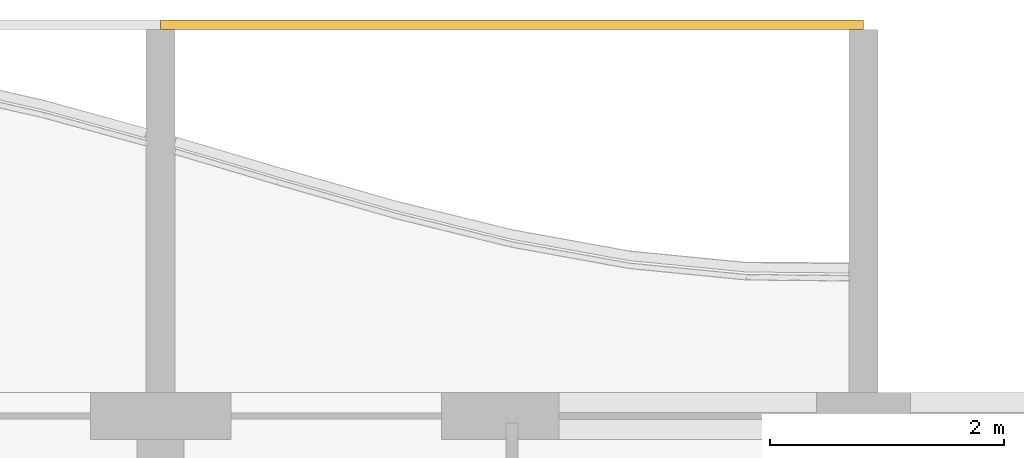
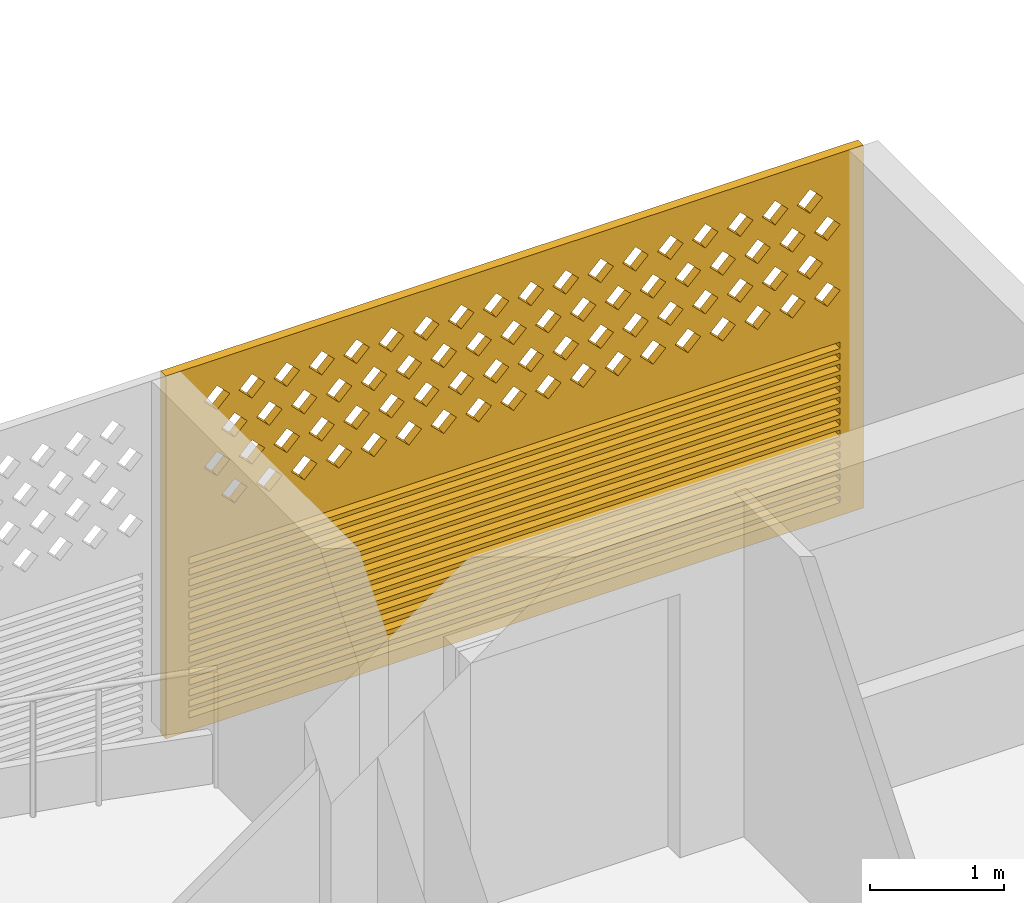
# One storey, part 37 of 44: 1 covering.
"""IFC4 building model written with IfcOpenShell, lengths in metres."""

from ifc_helpers import new_model, si_unit, direction, frame, origin, place, context, subcontext, project, spatial, polyline, outline, extrude, source, transform, mapped, material, material_profile, profile_set, type_object, element, save


model = new_model("IFC4")

# Units and contexts
model_context = context("Model", 3, precision=1e-05, world=origin(), true_north=direction((0.0, 1.0)))
body_context = subcontext(model_context, "Body", "Model", "MODEL_VIEW")
ifc_project = project(units=[si_unit("LENGTHUNIT", "METRE"), si_unit("AREAUNIT", "SQUARE_METRE"), si_unit("VOLUMEUNIT", "CUBIC_METRE"), si_unit("PLANEANGLEUNIT", "RADIAN"), si_unit("MASSUNIT", "GRAM", prefix="KILO")], contexts=[model_context])

# Site, building, storey
site_placement = place(None, origin())
site = spatial("IfcSite", under=ifc_project, at=site_placement, CompositionType="ELEMENT")
building_placement = place(site_placement, origin())
building = spatial("IfcBuilding", under=site, at=building_placement, Name="Poui Terraces", CompositionType="ELEMENT")
storey_placement = place(building_placement, frame((0.0, 0.0, 30.0)))
storey = spatial("IfcBuildingStorey", under=building, at=storey_placement, Name="L07", CompositionType="ELEMENT", Elevation=30.0)

# Covering
ifc_material = material(Name="Terracotta screen", Category="masonry")
ifc_material_profile = material_profile(ifc_material, outline(polyline([(-3.0, -1.64990234375), (3.0, -1.64990234375), (3.0, 1.64990234375), (-3.0, 1.64990234375), (-3.0, -1.64990234375)]), holes=[polyline([(-2.800048828125, 0.39990234375), (-2.68994140625, 0.2900390625), (-2.580078125, 0.39990234375), (-2.68994140625, 0.510009765625), (-2.800048828125, 0.39990234375)]), polyline([(-2.5, 0.39990234375), (-2.389892578125, 0.2900390625), (-2.280029296875, 0.39990234375), (-2.389892578125, 0.510009765625), (-2.5, 0.39990234375)]), polyline([(-2.199951171875, 0.39990234375), (-2.090087890625, 0.2900390625), (-1.97998046875, 0.39990234375), (-2.090087890625, 0.510009765625), (-2.199951171875, 0.39990234375)]), polyline([(-1.89990234375, 0.39990234375), (-1.7900390625, 0.2900390625), (-1.679931640625, 0.39990234375), (-1.7900390625, 0.510009765625), (-1.89990234375, 0.39990234375)]), polyline([(-1.60009765625, 0.39990234375), (-1.489990234375, 0.2900390625), (-1.3798828125, 0.39990234375), (-1.489990234375, 0.510009765625), (-1.60009765625, 0.39990234375)]), polyline([(-1.300048828125, 0.39990234375), (-1.18994140625, 0.2900390625), (-1.080078125, 0.39990234375), (-1.18994140625, 0.510009765625), (-1.300048828125, 0.39990234375)]), polyline([(-1.0, 0.39990234375), (-0.889892578125, 0.2900390625), (-0.780029296875, 0.39990234375), (-0.889892578125, 0.510009765625), (-1.0, 0.39990234375)]), polyline([(-0.699951171875, 0.39990234375), (-0.590087890625, 0.2900390625), (-0.47998046875, 0.39990234375), (-0.590087890625, 0.510009765625), (-0.699951171875, 0.39990234375)]), polyline([(-0.39990234375, 0.39990234375), (-0.2900390625, 0.2900390625), (-0.179931640625, 0.39990234375), (-0.2900390625, 0.510009765625), (-0.39990234375, 0.39990234375)]), polyline([(-0.10009765625, 0.39990234375), (0.010009765625, 0.2900390625), (0.1201171875, 0.39990234375), (0.010009765625, 0.510009765625), (-0.10009765625, 0.39990234375)]), polyline([(0.199951171875, 0.39990234375), (0.31005859375, 0.2900390625), (0.419921875, 0.39990234375), (0.31005859375, 0.510009765625), (0.199951171875, 0.39990234375)]), polyline([(0.5, 0.39990234375), (0.610107421875, 0.2900390625), (0.719970703125, 0.39990234375), (0.610107421875, 0.510009765625), (0.5, 0.39990234375)]), polyline([(0.800048828125, 0.39990234375), (0.909912109375, 0.2900390625), (1.02001953125, 0.39990234375), (0.909912109375, 0.510009765625), (0.800048828125, 0.39990234375)]), polyline([(1.10009765625, 0.39990234375), (1.2099609375, 0.2900390625), (1.320068359375, 0.39990234375), (1.2099609375, 0.510009765625), (1.10009765625, 0.39990234375)]), polyline([(1.39990234375, 0.39990234375), (1.510009765625, 0.2900390625), (1.6201171875, 0.39990234375), (1.510009765625, 0.510009765625), (1.39990234375, 0.39990234375)]), polyline([(1.699951171875, 0.39990234375), (1.81005859375, 0.2900390625), (1.919921875, 0.39990234375), (1.81005859375, 0.510009765625), (1.699951171875, 0.39990234375)]), polyline([(2.0, 0.39990234375), (2.110107421875, 0.2900390625), (2.219970703125, 0.39990234375), (2.110107421875, 0.510009765625), (2.0, 0.39990234375)]), polyline([(2.300048828125, 0.39990234375), (2.409912109375, 0.2900390625), (2.52001953125, 0.39990234375), (2.409912109375, 0.510009765625), (2.300048828125, 0.39990234375)]), polyline([(-2.64990234375, 0.699951171875), (-2.5400390625, 0.590087890625), (-2.429931640625, 0.699951171875), (-2.5400390625, 0.81005859375), (-2.64990234375, 0.699951171875)]), polyline([(-2.35009765625, 0.699951171875), (-2.239990234375, 0.590087890625), (-2.1298828125, 0.699951171875), (-2.239990234375, 0.81005859375), (-2.35009765625, 0.699951171875)]), polyline([(-2.050048828125, 0.699951171875), (-1.93994140625, 0.590087890625), (-1.830078125, 0.699951171875), (-1.93994140625, 0.81005859375), (-2.050048828125, 0.699951171875)]), polyline([(-1.75, 0.699951171875), (-1.639892578125, 0.590087890625), (-1.530029296875, 0.699951171875), (-1.639892578125, 0.81005859375), (-1.75, 0.699951171875)]), polyline([(-1.449951171875, 0.699951171875), (-1.340087890625, 0.590087890625), (-1.22998046875, 0.699951171875), (-1.340087890625, 0.81005859375), (-1.449951171875, 0.699951171875)]), polyline([(-1.14990234375, 0.699951171875), (-1.0400390625, 0.590087890625), (-0.929931640625, 0.699951171875), (-1.0400390625, 0.81005859375), (-1.14990234375, 0.699951171875)]), polyline([(-0.85009765625, 0.699951171875), (-0.739990234375, 0.590087890625), (-0.6298828125, 0.699951171875), (-0.739990234375, 0.81005859375), (-0.85009765625, 0.699951171875)]), polyline([(-0.550048828125, 0.699951171875), (-0.43994140625, 0.590087890625), (-0.330078125, 0.699951171875), (-0.43994140625, 0.81005859375), (-0.550048828125, 0.699951171875)]), polyline([(-0.25, 0.699951171875), (-0.139892578125, 0.590087890625), (-0.030029296875, 0.699951171875), (-0.139892578125, 0.81005859375), (-0.25, 0.699951171875)]), polyline([(0.050048828125, 0.699951171875), (0.159912109375, 0.590087890625), (0.27001953125, 0.699951171875), (0.159912109375, 0.81005859375), (0.050048828125, 0.699951171875)]), polyline([(0.35009765625, 0.699951171875), (0.4599609375, 0.590087890625), (0.570068359375, 0.699951171875), (0.4599609375, 0.81005859375), (0.35009765625, 0.699951171875)]), polyline([(0.64990234375, 0.699951171875), (0.760009765625, 0.590087890625), (0.8701171875, 0.699951171875), (0.760009765625, 0.81005859375), (0.64990234375, 0.699951171875)]), polyline([(0.949951171875, 0.699951171875), (1.06005859375, 0.590087890625), (1.169921875, 0.699951171875), (1.06005859375, 0.81005859375), (0.949951171875, 0.699951171875)]), polyline([(1.25, 0.699951171875), (1.360107421875, 0.590087890625), (1.469970703125, 0.699951171875), (1.360107421875, 0.81005859375), (1.25, 0.699951171875)]), polyline([(1.550048828125, 0.699951171875), (1.659912109375, 0.590087890625), (1.77001953125, 0.699951171875), (1.659912109375, 0.81005859375), (1.550048828125, 0.699951171875)]), polyline([(1.85009765625, 0.699951171875), (1.9599609375, 0.590087890625), (2.070068359375, 0.699951171875), (1.9599609375, 0.81005859375), (1.85009765625, 0.699951171875)]), polyline([(2.14990234375, 0.699951171875), (2.260009765625, 0.590087890625), (2.3701171875, 0.699951171875), (2.260009765625, 0.81005859375), (2.14990234375, 0.699951171875)]), polyline([(2.449951171875, 0.699951171875), (2.56005859375, 0.590087890625), (2.669921875, 0.699951171875), (2.56005859375, 0.81005859375), (2.449951171875, 0.699951171875)]), polyline([(-2.800048828125, 1.0), (-2.68994140625, 0.889892578125), (-2.580078125, 1.0), (-2.68994140625, 1.110107421875), (-2.800048828125, 1.0)]), polyline([(-2.5, 1.0), (-2.389892578125, 0.889892578125), (-2.280029296875, 1.0), (-2.389892578125, 1.110107421875), (-2.5, 1.0)]), polyline([(-2.199951171875, 1.0), (-2.090087890625, 0.889892578125), (-1.97998046875, 1.0), (-2.090087890625, 1.110107421875), (-2.199951171875, 1.0)]), polyline([(-1.89990234375, 1.0), (-1.7900390625, 0.889892578125), (-1.679931640625, 1.0), (-1.7900390625, 1.110107421875), (-1.89990234375, 1.0)]), polyline([(-1.60009765625, 1.0), (-1.489990234375, 0.889892578125), (-1.3798828125, 1.0), (-1.489990234375, 1.110107421875), (-1.60009765625, 1.0)]), polyline([(-1.300048828125, 1.0), (-1.18994140625, 0.889892578125), (-1.080078125, 1.0), (-1.18994140625, 1.110107421875), (-1.300048828125, 1.0)]), polyline([(-1.0, 1.0), (-0.889892578125, 0.889892578125), (-0.780029296875, 1.0), (-0.889892578125, 1.110107421875), (-1.0, 1.0)]), polyline([(-0.699951171875, 1.0), (-0.590087890625, 0.889892578125), (-0.47998046875, 1.0), (-0.590087890625, 1.110107421875), (-0.699951171875, 1.0)]), polyline([(-0.39990234375, 1.0), (-0.2900390625, 0.889892578125), (-0.179931640625, 1.0), (-0.2900390625, 1.110107421875), (-0.39990234375, 1.0)]), polyline([(-0.10009765625, 1.0), (0.010009765625, 0.889892578125), (0.1201171875, 1.0), (0.010009765625, 1.110107421875), (-0.10009765625, 1.0)]), polyline([(0.199951171875, 1.0), (0.31005859375, 0.889892578125), (0.419921875, 1.0), (0.31005859375, 1.110107421875), (0.199951171875, 1.0)]), polyline([(0.5, 1.0), (0.610107421875, 0.889892578125), (0.719970703125, 1.0), (0.610107421875, 1.110107421875), (0.5, 1.0)]), polyline([(0.800048828125, 1.0), (0.909912109375, 0.889892578125), (1.02001953125, 1.0), (0.909912109375, 1.110107421875), (0.800048828125, 1.0)]), polyline([(1.10009765625, 1.0), (1.2099609375, 0.889892578125), (1.320068359375, 1.0), (1.2099609375, 1.110107421875), (1.10009765625, 1.0)]), polyline([(1.39990234375, 1.0), (1.510009765625, 0.889892578125), (1.6201171875, 1.0), (1.510009765625, 1.110107421875), (1.39990234375, 1.0)]), polyline([(1.699951171875, 1.0), (1.81005859375, 0.889892578125), (1.919921875, 1.0), (1.81005859375, 1.110107421875), (1.699951171875, 1.0)]), polyline([(2.0, 1.0), (2.110107421875, 0.889892578125), (2.219970703125, 1.0), (2.110107421875, 1.110107421875), (2.0, 1.0)]), polyline([(2.300048828125, 1.0), (2.409912109375, 0.889892578125), (2.52001953125, 1.0), (2.409912109375, 1.110107421875), (2.300048828125, 1.0)]), polyline([(-2.64990234375, 1.300048828125), (-2.5400390625, 1.18994140625), (-2.429931640625, 1.300048828125), (-2.5400390625, 1.409912109375), (-2.64990234375, 1.300048828125)]), polyline([(-2.35009765625, 1.300048828125), (-2.239990234375, 1.18994140625), (-2.1298828125, 1.300048828125), (-2.239990234375, 1.409912109375), (-2.35009765625, 1.300048828125)]), polyline([(-2.050048828125, 1.300048828125), (-1.93994140625, 1.18994140625), (-1.830078125, 1.300048828125), (-1.93994140625, 1.409912109375), (-2.050048828125, 1.300048828125)]), polyline([(-1.75, 1.300048828125), (-1.639892578125, 1.18994140625), (-1.530029296875, 1.300048828125), (-1.639892578125, 1.409912109375), (-1.75, 1.300048828125)]), polyline([(-1.449951171875, 1.300048828125), (-1.340087890625, 1.18994140625), (-1.22998046875, 1.300048828125), (-1.340087890625, 1.409912109375), (-1.449951171875, 1.300048828125)]), polyline([(-1.14990234375, 1.300048828125), (-1.0400390625, 1.18994140625), (-0.929931640625, 1.300048828125), (-1.0400390625, 1.409912109375), (-1.14990234375, 1.300048828125)]), polyline([(-0.85009765625, 1.300048828125), (-0.739990234375, 1.18994140625), (-0.6298828125, 1.300048828125), (-0.739990234375, 1.409912109375), (-0.85009765625, 1.300048828125)]), polyline([(-0.550048828125, 1.300048828125), (-0.43994140625, 1.18994140625), (-0.330078125, 1.300048828125), (-0.43994140625, 1.409912109375), (-0.550048828125, 1.300048828125)]), polyline([(-0.25, 1.300048828125), (-0.139892578125, 1.18994140625), (-0.030029296875, 1.300048828125), (-0.139892578125, 1.409912109375), (-0.25, 1.300048828125)]), polyline([(0.050048828125, 1.300048828125), (0.159912109375, 1.18994140625), (0.27001953125, 1.300048828125), (0.159912109375, 1.409912109375), (0.050048828125, 1.300048828125)]), polyline([(0.35009765625, 1.300048828125), (0.4599609375, 1.18994140625), (0.570068359375, 1.300048828125), (0.4599609375, 1.409912109375), (0.35009765625, 1.300048828125)]), polyline([(0.64990234375, 1.300048828125), (0.760009765625, 1.18994140625), (0.8701171875, 1.300048828125), (0.760009765625, 1.409912109375), (0.64990234375, 1.300048828125)]), polyline([(0.949951171875, 1.300048828125), (1.06005859375, 1.18994140625), (1.169921875, 1.300048828125), (1.06005859375, 1.409912109375), (0.949951171875, 1.300048828125)]), polyline([(1.25, 1.300048828125), (1.360107421875, 1.18994140625), (1.469970703125, 1.300048828125), (1.360107421875, 1.409912109375), (1.25, 1.300048828125)]), polyline([(1.550048828125, 1.300048828125), (1.659912109375, 1.18994140625), (1.77001953125, 1.300048828125), (1.659912109375, 1.409912109375), (1.550048828125, 1.300048828125)]), polyline([(1.85009765625, 1.300048828125), (1.9599609375, 1.18994140625), (2.070068359375, 1.300048828125), (1.9599609375, 1.409912109375), (1.85009765625, 1.300048828125)]), polyline([(2.14990234375, 1.300048828125), (2.260009765625, 1.18994140625), (2.3701171875, 1.300048828125), (2.260009765625, 1.409912109375), (2.14990234375, 1.300048828125)]), polyline([(2.449951171875, 1.300048828125), (2.56005859375, 1.18994140625), (2.669921875, 1.300048828125), (2.56005859375, 1.409912109375), (2.449951171875, 1.300048828125)]), polyline([(-2.800048828125, -1.530029296875), (2.800048828125, -1.530029296875), (2.800048828125, -1.469970703125), (-2.800048828125, -1.469970703125), (-2.800048828125, -1.530029296875)]), polyline([(-2.800048828125, -1.429931640625), (2.800048828125, -1.429931640625), (2.800048828125, -1.3701171875), (-2.800048828125, -1.3701171875), (-2.800048828125, -1.429931640625)]), polyline([(-2.800048828125, -1.330078125), (2.800048828125, -1.330078125), (2.800048828125, -1.27001953125), (-2.800048828125, -1.27001953125), (-2.800048828125, -1.330078125)]), polyline([(-2.800048828125, -1.22998046875), (2.800048828125, -1.22998046875), (2.800048828125, -1.169921875), (-2.800048828125, -1.169921875), (-2.800048828125, -1.22998046875)]), polyline([(-2.800048828125, -1.1298828125), (2.800048828125, -1.1298828125), (2.800048828125, -1.070068359375), (-2.800048828125, -1.070068359375), (-2.800048828125, -1.1298828125)]), polyline([(-2.800048828125, -1.030029296875), (2.800048828125, -1.030029296875), (2.800048828125, -0.969970703125), (-2.800048828125, -0.969970703125), (-2.800048828125, -1.030029296875)]), polyline([(-2.800048828125, -0.929931640625), (2.800048828125, -0.929931640625), (2.800048828125, -0.8701171875), (-2.800048828125, -0.8701171875), (-2.800048828125, -0.929931640625)]), polyline([(-2.800048828125, -0.830078125), (2.800048828125, -0.830078125), (2.800048828125, -0.77001953125), (-2.800048828125, -0.77001953125), (-2.800048828125, -0.830078125)]), polyline([(-2.800048828125, -0.72998046875), (2.800048828125, -0.72998046875), (2.800048828125, -0.669921875), (-2.800048828125, -0.669921875), (-2.800048828125, -0.72998046875)]), polyline([(-2.800048828125, -0.6298828125), (2.800048828125, -0.6298828125), (2.800048828125, -0.570068359375), (-2.800048828125, -0.570068359375), (-2.800048828125, -0.6298828125)]), polyline([(-2.800048828125, -0.530029296875), (2.800048828125, -0.530029296875), (2.800048828125, -0.469970703125), (-2.800048828125, -0.469970703125), (-2.800048828125, -0.530029296875)]), polyline([(-2.800048828125, -0.429931640625), (2.800048828125, -0.429931640625), (2.800048828125, -0.3701171875), (-2.800048828125, -0.3701171875), (-2.800048828125, -0.429931640625)]), polyline([(-2.800048828125, -0.330078125), (2.800048828125, -0.330078125), (2.800048828125, -0.27001953125), (-2.800048828125, -0.27001953125), (-2.800048828125, -0.330078125)]), polyline([(-2.800048828125, -0.22998046875), (2.800048828125, -0.22998046875), (2.800048828125, -0.169921875), (-2.800048828125, -0.169921875), (-2.800048828125, -0.22998046875)]), polyline([(-2.800048828125, -0.1298828125), (2.800048828125, -0.1298828125), (2.800048828125, -0.070068359375), (-2.800048828125, -0.070068359375), (-2.800048828125, -0.1298828125)])]), Name="TERRACOTTA SCREEN AND JALOUSIE LOUVRE 6000X3300")
ifc_profile_set = profile_set([ifc_material_profile], Name="Terracotta screen")
covering_type = type_object("IfcCoveringType", Name="TERRACOTTA SCREEN AND JALOUSIE LOUVRE 6000X3300", PredefinedType="CLADDING", material=ifc_profile_set)
shared_shape = source(origin(), body_context, "Body", "SweptSolid", [
    extrude(outline(polyline([(-3.0, -1.64990234375), (3.0, -1.64990234375), (3.0, 1.64990234375), (-3.0, 1.64990234375), (-3.0, -1.64990234375)]), holes=[polyline([(-2.800048828125, 0.39990234375), (-2.68994140625, 0.2900390625), (-2.580078125, 0.39990234375), (-2.68994140625, 0.510009765625), (-2.800048828125, 0.39990234375)]), polyline([(-2.5, 0.39990234375), (-2.389892578125, 0.2900390625), (-2.280029296875, 0.39990234375), (-2.389892578125, 0.510009765625), (-2.5, 0.39990234375)]), polyline([(-2.199951171875, 0.39990234375), (-2.090087890625, 0.2900390625), (-1.97998046875, 0.39990234375), (-2.090087890625, 0.510009765625), (-2.199951171875, 0.39990234375)]), polyline([(-1.89990234375, 0.39990234375), (-1.7900390625, 0.2900390625), (-1.679931640625, 0.39990234375), (-1.7900390625, 0.510009765625), (-1.89990234375, 0.39990234375)]), polyline([(-1.60009765625, 0.39990234375), (-1.489990234375, 0.2900390625), (-1.3798828125, 0.39990234375), (-1.489990234375, 0.510009765625), (-1.60009765625, 0.39990234375)]), polyline([(-1.300048828125, 0.39990234375), (-1.18994140625, 0.2900390625), (-1.080078125, 0.39990234375), (-1.18994140625, 0.510009765625), (-1.300048828125, 0.39990234375)]), polyline([(-1.0, 0.39990234375), (-0.889892578125, 0.2900390625), (-0.780029296875, 0.39990234375), (-0.889892578125, 0.510009765625), (-1.0, 0.39990234375)]), polyline([(-0.699951171875, 0.39990234375), (-0.590087890625, 0.2900390625), (-0.47998046875, 0.39990234375), (-0.590087890625, 0.510009765625), (-0.699951171875, 0.39990234375)]), polyline([(-0.39990234375, 0.39990234375), (-0.2900390625, 0.2900390625), (-0.179931640625, 0.39990234375), (-0.2900390625, 0.510009765625), (-0.39990234375, 0.39990234375)]), polyline([(-0.10009765625, 0.39990234375), (0.010009765625, 0.2900390625), (0.1201171875, 0.39990234375), (0.010009765625, 0.510009765625), (-0.10009765625, 0.39990234375)]), polyline([(0.199951171875, 0.39990234375), (0.31005859375, 0.2900390625), (0.419921875, 0.39990234375), (0.31005859375, 0.510009765625), (0.199951171875, 0.39990234375)]), polyline([(0.5, 0.39990234375), (0.610107421875, 0.2900390625), (0.719970703125, 0.39990234375), (0.610107421875, 0.510009765625), (0.5, 0.39990234375)]), polyline([(0.800048828125, 0.39990234375), (0.909912109375, 0.2900390625), (1.02001953125, 0.39990234375), (0.909912109375, 0.510009765625), (0.800048828125, 0.39990234375)]), polyline([(1.10009765625, 0.39990234375), (1.2099609375, 0.2900390625), (1.320068359375, 0.39990234375), (1.2099609375, 0.510009765625), (1.10009765625, 0.39990234375)]), polyline([(1.39990234375, 0.39990234375), (1.510009765625, 0.2900390625), (1.6201171875, 0.39990234375), (1.510009765625, 0.510009765625), (1.39990234375, 0.39990234375)]), polyline([(1.699951171875, 0.39990234375), (1.81005859375, 0.2900390625), (1.919921875, 0.39990234375), (1.81005859375, 0.510009765625), (1.699951171875, 0.39990234375)]), polyline([(2.0, 0.39990234375), (2.110107421875, 0.2900390625), (2.219970703125, 0.39990234375), (2.110107421875, 0.510009765625), (2.0, 0.39990234375)]), polyline([(2.300048828125, 0.39990234375), (2.409912109375, 0.2900390625), (2.52001953125, 0.39990234375), (2.409912109375, 0.510009765625), (2.300048828125, 0.39990234375)]), polyline([(-2.64990234375, 0.699951171875), (-2.5400390625, 0.590087890625), (-2.429931640625, 0.699951171875), (-2.5400390625, 0.81005859375), (-2.64990234375, 0.699951171875)]), polyline([(-2.35009765625, 0.699951171875), (-2.239990234375, 0.590087890625), (-2.1298828125, 0.699951171875), (-2.239990234375, 0.81005859375), (-2.35009765625, 0.699951171875)]), polyline([(-2.050048828125, 0.699951171875), (-1.93994140625, 0.590087890625), (-1.830078125, 0.699951171875), (-1.93994140625, 0.81005859375), (-2.050048828125, 0.699951171875)]), polyline([(-1.75, 0.699951171875), (-1.639892578125, 0.590087890625), (-1.530029296875, 0.699951171875), (-1.639892578125, 0.81005859375), (-1.75, 0.699951171875)]), polyline([(-1.449951171875, 0.699951171875), (-1.340087890625, 0.590087890625), (-1.22998046875, 0.699951171875), (-1.340087890625, 0.81005859375), (-1.449951171875, 0.699951171875)]), polyline([(-1.14990234375, 0.699951171875), (-1.0400390625, 0.590087890625), (-0.929931640625, 0.699951171875), (-1.0400390625, 0.81005859375), (-1.14990234375, 0.699951171875)]), polyline([(-0.85009765625, 0.699951171875), (-0.739990234375, 0.590087890625), (-0.6298828125, 0.699951171875), (-0.739990234375, 0.81005859375), (-0.85009765625, 0.699951171875)]), polyline([(-0.550048828125, 0.699951171875), (-0.43994140625, 0.590087890625), (-0.330078125, 0.699951171875), (-0.43994140625, 0.81005859375), (-0.550048828125, 0.699951171875)]), polyline([(-0.25, 0.699951171875), (-0.139892578125, 0.590087890625), (-0.030029296875, 0.699951171875), (-0.139892578125, 0.81005859375), (-0.25, 0.699951171875)]), polyline([(0.050048828125, 0.699951171875), (0.159912109375, 0.590087890625), (0.27001953125, 0.699951171875), (0.159912109375, 0.81005859375), (0.050048828125, 0.699951171875)]), polyline([(0.35009765625, 0.699951171875), (0.4599609375, 0.590087890625), (0.570068359375, 0.699951171875), (0.4599609375, 0.81005859375), (0.35009765625, 0.699951171875)]), polyline([(0.64990234375, 0.699951171875), (0.760009765625, 0.590087890625), (0.8701171875, 0.699951171875), (0.760009765625, 0.81005859375), (0.64990234375, 0.699951171875)]), polyline([(0.949951171875, 0.699951171875), (1.06005859375, 0.590087890625), (1.169921875, 0.699951171875), (1.06005859375, 0.81005859375), (0.949951171875, 0.699951171875)]), polyline([(1.25, 0.699951171875), (1.360107421875, 0.590087890625), (1.469970703125, 0.699951171875), (1.360107421875, 0.81005859375), (1.25, 0.699951171875)]), polyline([(1.550048828125, 0.699951171875), (1.659912109375, 0.590087890625), (1.77001953125, 0.699951171875), (1.659912109375, 0.81005859375), (1.550048828125, 0.699951171875)]), polyline([(1.85009765625, 0.699951171875), (1.9599609375, 0.590087890625), (2.070068359375, 0.699951171875), (1.9599609375, 0.81005859375), (1.85009765625, 0.699951171875)]), polyline([(2.14990234375, 0.699951171875), (2.260009765625, 0.590087890625), (2.3701171875, 0.699951171875), (2.260009765625, 0.81005859375), (2.14990234375, 0.699951171875)]), polyline([(2.449951171875, 0.699951171875), (2.56005859375, 0.590087890625), (2.669921875, 0.699951171875), (2.56005859375, 0.81005859375), (2.449951171875, 0.699951171875)]), polyline([(-2.800048828125, 1.0), (-2.68994140625, 0.889892578125), (-2.580078125, 1.0), (-2.68994140625, 1.110107421875), (-2.800048828125, 1.0)]), polyline([(-2.5, 1.0), (-2.389892578125, 0.889892578125), (-2.280029296875, 1.0), (-2.389892578125, 1.110107421875), (-2.5, 1.0)]), polyline([(-2.199951171875, 1.0), (-2.090087890625, 0.889892578125), (-1.97998046875, 1.0), (-2.090087890625, 1.110107421875), (-2.199951171875, 1.0)]), polyline([(-1.89990234375, 1.0), (-1.7900390625, 0.889892578125), (-1.679931640625, 1.0), (-1.7900390625, 1.110107421875), (-1.89990234375, 1.0)]), polyline([(-1.60009765625, 1.0), (-1.489990234375, 0.889892578125), (-1.3798828125, 1.0), (-1.489990234375, 1.110107421875), (-1.60009765625, 1.0)]), polyline([(-1.300048828125, 1.0), (-1.18994140625, 0.889892578125), (-1.080078125, 1.0), (-1.18994140625, 1.110107421875), (-1.300048828125, 1.0)]), polyline([(-1.0, 1.0), (-0.889892578125, 0.889892578125), (-0.780029296875, 1.0), (-0.889892578125, 1.110107421875), (-1.0, 1.0)]), polyline([(-0.699951171875, 1.0), (-0.590087890625, 0.889892578125), (-0.47998046875, 1.0), (-0.590087890625, 1.110107421875), (-0.699951171875, 1.0)]), polyline([(-0.39990234375, 1.0), (-0.2900390625, 0.889892578125), (-0.179931640625, 1.0), (-0.2900390625, 1.110107421875), (-0.39990234375, 1.0)]), polyline([(-0.10009765625, 1.0), (0.010009765625, 0.889892578125), (0.1201171875, 1.0), (0.010009765625, 1.110107421875), (-0.10009765625, 1.0)]), polyline([(0.199951171875, 1.0), (0.31005859375, 0.889892578125), (0.419921875, 1.0), (0.31005859375, 1.110107421875), (0.199951171875, 1.0)]), polyline([(0.5, 1.0), (0.610107421875, 0.889892578125), (0.719970703125, 1.0), (0.610107421875, 1.110107421875), (0.5, 1.0)]), polyline([(0.800048828125, 1.0), (0.909912109375, 0.889892578125), (1.02001953125, 1.0), (0.909912109375, 1.110107421875), (0.800048828125, 1.0)]), polyline([(1.10009765625, 1.0), (1.2099609375, 0.889892578125), (1.320068359375, 1.0), (1.2099609375, 1.110107421875), (1.10009765625, 1.0)]), polyline([(1.39990234375, 1.0), (1.510009765625, 0.889892578125), (1.6201171875, 1.0), (1.510009765625, 1.110107421875), (1.39990234375, 1.0)]), polyline([(1.699951171875, 1.0), (1.81005859375, 0.889892578125), (1.919921875, 1.0), (1.81005859375, 1.110107421875), (1.699951171875, 1.0)]), polyline([(2.0, 1.0), (2.110107421875, 0.889892578125), (2.219970703125, 1.0), (2.110107421875, 1.110107421875), (2.0, 1.0)]), polyline([(2.300048828125, 1.0), (2.409912109375, 0.889892578125), (2.52001953125, 1.0), (2.409912109375, 1.110107421875), (2.300048828125, 1.0)]), polyline([(-2.64990234375, 1.300048828125), (-2.5400390625, 1.18994140625), (-2.429931640625, 1.300048828125), (-2.5400390625, 1.409912109375), (-2.64990234375, 1.300048828125)]), polyline([(-2.35009765625, 1.300048828125), (-2.239990234375, 1.18994140625), (-2.1298828125, 1.300048828125), (-2.239990234375, 1.409912109375), (-2.35009765625, 1.300048828125)]), polyline([(-2.050048828125, 1.300048828125), (-1.93994140625, 1.18994140625), (-1.830078125, 1.300048828125), (-1.93994140625, 1.409912109375), (-2.050048828125, 1.300048828125)]), polyline([(-1.75, 1.300048828125), (-1.639892578125, 1.18994140625), (-1.530029296875, 1.300048828125), (-1.639892578125, 1.409912109375), (-1.75, 1.300048828125)]), polyline([(-1.449951171875, 1.300048828125), (-1.340087890625, 1.18994140625), (-1.22998046875, 1.300048828125), (-1.340087890625, 1.409912109375), (-1.449951171875, 1.300048828125)]), polyline([(-1.14990234375, 1.300048828125), (-1.0400390625, 1.18994140625), (-0.929931640625, 1.300048828125), (-1.0400390625, 1.409912109375), (-1.14990234375, 1.300048828125)]), polyline([(-0.85009765625, 1.300048828125), (-0.739990234375, 1.18994140625), (-0.6298828125, 1.300048828125), (-0.739990234375, 1.409912109375), (-0.85009765625, 1.300048828125)]), polyline([(-0.550048828125, 1.300048828125), (-0.43994140625, 1.18994140625), (-0.330078125, 1.300048828125), (-0.43994140625, 1.409912109375), (-0.550048828125, 1.300048828125)]), polyline([(-0.25, 1.300048828125), (-0.139892578125, 1.18994140625), (-0.030029296875, 1.300048828125), (-0.139892578125, 1.409912109375), (-0.25, 1.300048828125)]), polyline([(0.050048828125, 1.300048828125), (0.159912109375, 1.18994140625), (0.27001953125, 1.300048828125), (0.159912109375, 1.409912109375), (0.050048828125, 1.300048828125)]), polyline([(0.35009765625, 1.300048828125), (0.4599609375, 1.18994140625), (0.570068359375, 1.300048828125), (0.4599609375, 1.409912109375), (0.35009765625, 1.300048828125)]), polyline([(0.64990234375, 1.300048828125), (0.760009765625, 1.18994140625), (0.8701171875, 1.300048828125), (0.760009765625, 1.409912109375), (0.64990234375, 1.300048828125)]), polyline([(0.949951171875, 1.300048828125), (1.06005859375, 1.18994140625), (1.169921875, 1.300048828125), (1.06005859375, 1.409912109375), (0.949951171875, 1.300048828125)]), polyline([(1.25, 1.300048828125), (1.360107421875, 1.18994140625), (1.469970703125, 1.300048828125), (1.360107421875, 1.409912109375), (1.25, 1.300048828125)]), polyline([(1.550048828125, 1.300048828125), (1.659912109375, 1.18994140625), (1.77001953125, 1.300048828125), (1.659912109375, 1.409912109375), (1.550048828125, 1.300048828125)]), polyline([(1.85009765625, 1.300048828125), (1.9599609375, 1.18994140625), (2.070068359375, 1.300048828125), (1.9599609375, 1.409912109375), (1.85009765625, 1.300048828125)]), polyline([(2.14990234375, 1.300048828125), (2.260009765625, 1.18994140625), (2.3701171875, 1.300048828125), (2.260009765625, 1.409912109375), (2.14990234375, 1.300048828125)]), polyline([(2.449951171875, 1.300048828125), (2.56005859375, 1.18994140625), (2.669921875, 1.300048828125), (2.56005859375, 1.409912109375), (2.449951171875, 1.300048828125)]), polyline([(-2.800048828125, -1.530029296875), (2.800048828125, -1.530029296875), (2.800048828125, -1.469970703125), (-2.800048828125, -1.469970703125), (-2.800048828125, -1.530029296875)]), polyline([(-2.800048828125, -1.429931640625), (2.800048828125, -1.429931640625), (2.800048828125, -1.3701171875), (-2.800048828125, -1.3701171875), (-2.800048828125, -1.429931640625)]), polyline([(-2.800048828125, -1.330078125), (2.800048828125, -1.330078125), (2.800048828125, -1.27001953125), (-2.800048828125, -1.27001953125), (-2.800048828125, -1.330078125)]), polyline([(-2.800048828125, -1.22998046875), (2.800048828125, -1.22998046875), (2.800048828125, -1.169921875), (-2.800048828125, -1.169921875), (-2.800048828125, -1.22998046875)]), polyline([(-2.800048828125, -1.1298828125), (2.800048828125, -1.1298828125), (2.800048828125, -1.070068359375), (-2.800048828125, -1.070068359375), (-2.800048828125, -1.1298828125)]), polyline([(-2.800048828125, -1.030029296875), (2.800048828125, -1.030029296875), (2.800048828125, -0.969970703125), (-2.800048828125, -0.969970703125), (-2.800048828125, -1.030029296875)]), polyline([(-2.800048828125, -0.929931640625), (2.800048828125, -0.929931640625), (2.800048828125, -0.8701171875), (-2.800048828125, -0.8701171875), (-2.800048828125, -0.929931640625)]), polyline([(-2.800048828125, -0.830078125), (2.800048828125, -0.830078125), (2.800048828125, -0.77001953125), (-2.800048828125, -0.77001953125), (-2.800048828125, -0.830078125)]), polyline([(-2.800048828125, -0.72998046875), (2.800048828125, -0.72998046875), (2.800048828125, -0.669921875), (-2.800048828125, -0.669921875), (-2.800048828125, -0.72998046875)]), polyline([(-2.800048828125, -0.6298828125), (2.800048828125, -0.6298828125), (2.800048828125, -0.570068359375), (-2.800048828125, -0.570068359375), (-2.800048828125, -0.6298828125)]), polyline([(-2.800048828125, -0.530029296875), (2.800048828125, -0.530029296875), (2.800048828125, -0.469970703125), (-2.800048828125, -0.469970703125), (-2.800048828125, -0.530029296875)]), polyline([(-2.800048828125, -0.429931640625), (2.800048828125, -0.429931640625), (2.800048828125, -0.3701171875), (-2.800048828125, -0.3701171875), (-2.800048828125, -0.429931640625)]), polyline([(-2.800048828125, -0.330078125), (2.800048828125, -0.330078125), (2.800048828125, -0.27001953125), (-2.800048828125, -0.27001953125), (-2.800048828125, -0.330078125)]), polyline([(-2.800048828125, -0.22998046875), (2.800048828125, -0.22998046875), (2.800048828125, -0.169921875), (-2.800048828125, -0.169921875), (-2.800048828125, -0.22998046875)]), polyline([(-2.800048828125, -0.1298828125), (2.800048828125, -0.1298828125), (2.800048828125, -0.070068359375), (-2.800048828125, -0.070068359375), (-2.800048828125, -0.1298828125)])]), origin(), (0.0, 0.0, 1.0), 0.079833984375),
])
covering_placement = place(storey_placement, frame((63.0, 48.10009765625, 1.449951171875), z_axis=(0.0, 1.0, 0.0), x_axis=(-1.0, 0.0, 0.0)))
element("IfcCovering", 1, at=covering_placement, inside=storey, type_object=covering_type, Name="SOLAR SCREEN AND JALOUSIE LOUVRE", PredefinedType="CLADDING", context=body_context, shape_type="MappedRepresentation", body=[
    mapped(shared_shape, transform((0.0, 0.0, 0.0))),
])

save(model, "model.ifc")
